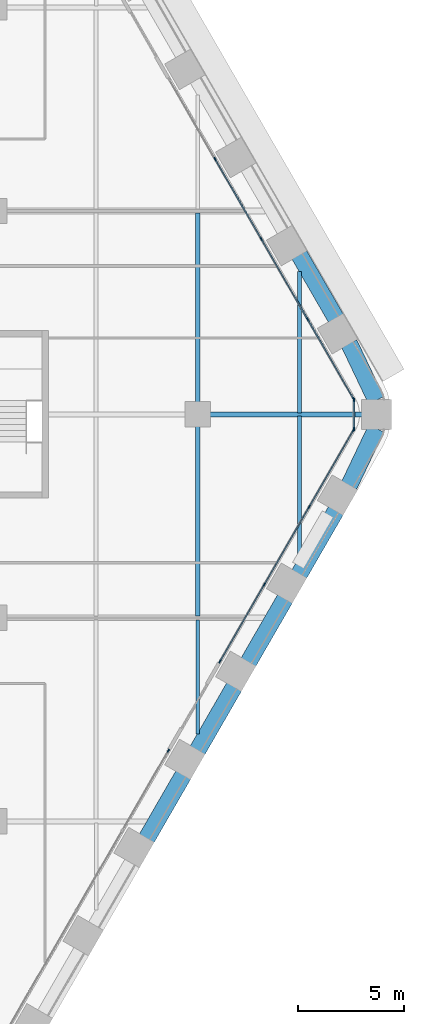
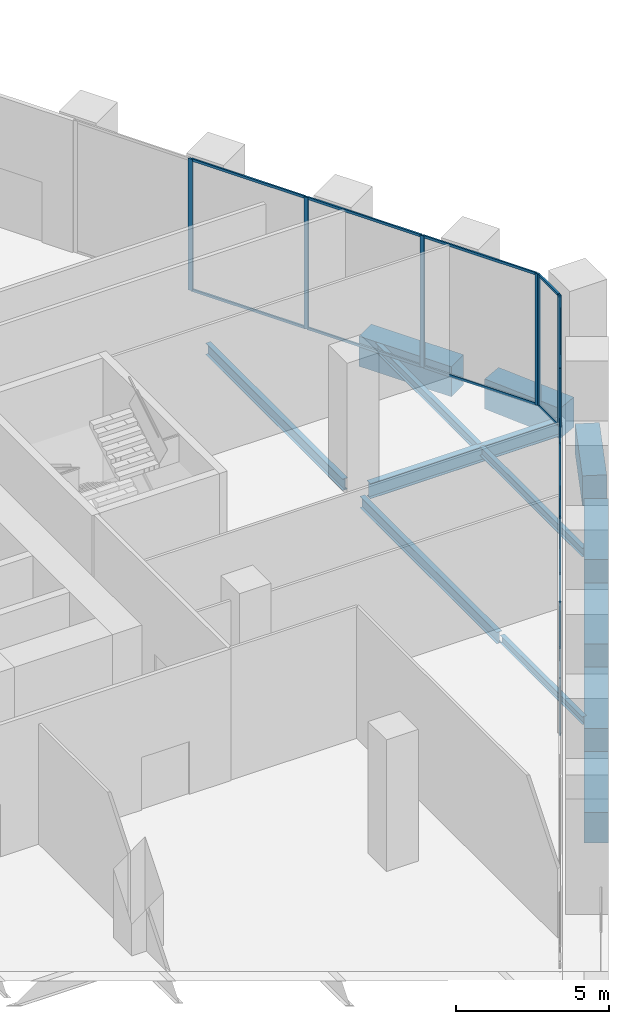
# One storey, part 11 of 27: 25 members, 13 beams, 4 elements without a shape of their own.
"""IFC4 building model written with IfcOpenShell, lengths in metres."""

from ifc_helpers import new_model, si_unit, direction, frame, origin, origin_2d, place, context, subcontext, project, spatial, rectangle, i_section, extrude, material, material_profile, profile_set, type_object, element, aggregate, save


model = new_model("IFC4")

# Units and contexts
model_context = context("Model", 3, precision=1e-05, world=origin(), true_north=direction((0.0, 1.0)))
body_context = subcontext(model_context, "Body", "Model", "MODEL_VIEW")
ifc_project = project(units=[si_unit("LENGTHUNIT", "METRE"), si_unit("AREAUNIT", "SQUARE_METRE"), si_unit("VOLUMEUNIT", "CUBIC_METRE"), si_unit("PLANEANGLEUNIT", "RADIAN"), si_unit("MASSUNIT", "GRAM", prefix="KILO")], contexts=[model_context])

# Site, building, storey
site_placement = place(None, origin())
site = spatial("IfcSite", under=ifc_project, at=site_placement, CompositionType="ELEMENT")
building_placement = place(site_placement, origin())
building = spatial("IfcBuilding", under=site, at=building_placement, Name="Kolab Exchange Tower", CompositionType="ELEMENT")
storey_placement = place(building_placement, frame((0.0, 0.0, 27.89990234375)))
storey = spatial("IfcBuildingStorey", under=building, at=storey_placement, Name="L05", CompositionType="ELEMENT", Elevation=27.89990234375)

# Beams
ifc_material_1 = material(Name="Steel S355", Category="steel")
ifc_material_profile_1 = material_profile(ifc_material_1, i_section(OverallWidth=0.1650390625, OverallDepth=0.31005859375, WebThickness=0.005859375, FlangeThickness=0.009765625, at=origin_2d()), Name="W310X39")
ifc_profile_set_1 = profile_set([ifc_material_profile_1], Name="Steel S355")
beam_type_1 = type_object("IfcBeamType", Name="FLOOR BEAM W310X39", PredefinedType="BEAM", material=ifc_profile_set_1)
beam_1_placement = place(storey_placement, frame((28.800048828125, -15.067626953125, -0.40478515625), z_axis=(0.0, 1.0, 0.0), x_axis=(-1.0, 0.0, 0.0)))
element("IfcBeam", 1, at=beam_1_placement, inside=storey, type_object=beam_type_1, Name="beam/L05/fr/058", PredefinedType="BEAM", context=body_context, shape_type="SweptSolid", body=[
    extrude(i_section(OverallWidth=0.1650390625, OverallDepth=0.31005859375, WebThickness=0.005859375, FlangeThickness=0.009765625, at=origin_2d()), origin(), (0.0, 0.0, 1.0), 5.3740234375),
])
ifc_material_profile_2 = material_profile(ifc_material_1, i_section(OverallWidth=0.1708984375, OverallDepth=0.35498046875, WebThickness=0.007080078125, FlangeThickness=0.01171875, at=origin_2d()), Name="W360X51")
ifc_profile_set_2 = profile_set([ifc_material_profile_2], Name="Steel S355")
beam_type_2 = type_object("IfcBeamType", Name="FLOOR BEAM W360X51", PredefinedType="BEAM", material=ifc_profile_set_2)
for number, where, z_axis, x_axis, name in (
    (2, (33.60009765625, -6.75390625, -0.427490234375), (0.0, 1.0, 0.0), (-1.0, 0.0, 0.0), "beam/L05/fr/062"),
    (3, (33.60009765625, 0.073974609375, -0.427490234375), (0.0, 1.0, 0.0), (-1.0, 0.0, 0.0), "beam/L05/fr/063"),
):
    element("IfcBeam", number, at=place(storey_placement, frame(where, z_axis=z_axis, x_axis=x_axis)), inside=storey, type_object=beam_type_2, Name=name, PredefinedType="BEAM", context=body_context, shape_type="SweptSolid", body=[
        extrude(i_section(OverallWidth=0.1708984375, OverallDepth=0.35498046875, WebThickness=0.007080078125, FlangeThickness=0.01171875, at=origin_2d()), origin(), (0.0, 0.0, 1.0), 6.679931640625),
    ])
ifc_material_profile_3 = material_profile(ifc_material_1, i_section(OverallWidth=0.18994140625, OverallDepth=0.45703125, WebThickness=0.009033203125, FlangeThickness=0.014404296875, at=origin_2d()), Name="W460X74")
ifc_profile_set_3 = profile_set([ifc_material_profile_3], Name="Steel S355")
beam_type_3 = type_object("IfcBeamType", Name="FLOOR BEAM W460X74", PredefinedType="BEAM", material=ifc_profile_set_3)
for number, where, z_axis, x_axis, name in (
    (4, (28.800048828125, -9.506591796875, -0.478515625), (0.0, 1.0, 0.0), (-1.0, 0.0, 0.0), "beam/L05/fr/059"),
    (5, (28.800048828125, 0.56005859375, -0.478515625), (0.0, 1.0, 0.0), (-1.0, 0.0, 0.0), "beam/L05/fr/060"),
):
    element("IfcBeam", number, at=place(storey_placement, frame(where, z_axis=z_axis, x_axis=x_axis)), inside=storey, type_object=beam_type_3, Name=name, PredefinedType="BEAM", context=body_context, shape_type="SweptSolid", body=[
        extrude(i_section(OverallWidth=0.18994140625, OverallDepth=0.45703125, WebThickness=0.009033203125, FlangeThickness=0.014404296875, at=origin_2d()), origin(), (0.0, 0.0, 1.0), 8.946533203125),
    ])
ifc_material_profile_4 = material_profile(ifc_material_1, i_section(OverallWidth=0.22802734375, OverallDepth=0.60791015625, WebThickness=0.01123046875, FlangeThickness=0.017333984375, at=origin_2d()), Name="W610X113")
ifc_profile_set_4 = profile_set([ifc_material_profile_4], Name="Steel S355")
beam_type_4 = type_object("IfcBeamType", Name="FLOOR GIRDER W610X113", PredefinedType="BEAM", material=ifc_profile_set_4)
beam_2_placement = place(storey_placement, frame((29.360107421875, 0.0, -0.553955078125), z_axis=(1.0, 0.0, 0.0), x_axis=(0.0, 1.0, 0.0)))
element("IfcBeam", 6, at=beam_2_placement, inside=storey, type_object=beam_type_4, Name="beam/L05/gd/025", PredefinedType="BEAM", context=body_context, shape_type="SweptSolid", body=[
    extrude(i_section(OverallWidth=0.22802734375, OverallDepth=0.60791015625, WebThickness=0.01123046875, FlangeThickness=0.017333984375, at=origin_2d()), origin(), (0.0, 0.0, 1.0), 7.2158203125),
])
ifc_material_2 = material(Name="Concrete C80/95", Category="concrete")
ifc_material_profile_5 = material_profile(ifc_material_2, rectangle(XDim=0.800048828125, YDim=1.199951171875, at=origin_2d()), Name="RC800X1200")
ifc_profile_set_5 = profile_set([ifc_material_profile_5], Name="Concrete C80/95")
beam_type_5 = type_object("IfcBeamType", Name="SPANDREL BEAM 800X1200 C80/95", PredefinedType="BEAM", material=ifc_profile_set_5)
beam_3_placement = place(storey_placement, frame((33.58349609375, 7.542236328125, -0.849853515625), z_axis=(0.500009906705, -0.86601968407, 0.0), x_axis=(0.86601968407, 0.500009906705, 0.0)))
element("IfcBeam", 7, at=beam_3_placement, inside=storey, type_object=beam_type_5, Name="beam/L05/sp/F2-07", PredefinedType="BEAM", context=body_context, shape_type="SweptSolid", body=[
    extrude(rectangle(XDim=0.800048828125, YDim=1.199951171875, at=origin_2d()), origin(), (0.0, 0.0, 1.0), 3.47998046875),
])
for number, where, z_axis, x_axis, name in (
    (8, (35.93798828125, 3.35888671875, -0.849853515625), (0.429555669245, -0.903040379507, 0.0), (0.903040379507, 0.429555669245, 0.0), "beam/L05/sp/F2-08"),
    (9, (37.219970703125, -0.663818359375, -0.849853515625), (-0.429555669245, -0.903040379507, 0.0), (0.903040379507, -0.429555669245, 0.0), "beam/L05/sp/F3-01"),
):
    element("IfcBeam", number, at=place(storey_placement, frame(where, z_axis=z_axis, x_axis=x_axis)), inside=storey, type_object=beam_type_5, Name=name, PredefinedType="BEAM", context=body_context, shape_type="SweptSolid", body=[
        extrude(rectangle(XDim=0.800048828125, YDim=1.199951171875, at=origin_2d()), origin(), (0.0, 0.0, 1.0), 2.984375),
    ])
beam_4_placement = place(storey_placement, frame((35.323486328125, -4.528564453125, -0.849853515625), z_axis=(-0.500009906705, -0.86601968407, 0.0), x_axis=(0.86601968407, -0.500009906705, 0.0)))
element("IfcBeam", 10, at=beam_4_placement, inside=storey, type_object=beam_type_5, Name="beam/L05/sp/F3-02", PredefinedType="BEAM", context=body_context, shape_type="SweptSolid", body=[
    extrude(rectangle(XDim=0.800048828125, YDim=1.199951171875, at=origin_2d()), origin(), (0.0, 0.0, 1.0), 3.47998046875),
])
for number, where, z_axis, x_axis, name in (
    (11, (32.923583984375, -8.685302734375, -0.849853515625), (-0.499979528911, -0.866037222451, 0.0), (0.866037222451, -0.499979528911, 0.0), "beam/L05/sp/F3-03"),
    (12, (30.523681640625, -12.84228515625, -0.849853515625), (-0.499979528911, -0.866037222451, 0.0), (0.866037222451, -0.499979528911, 0.0), "beam/L05/sp/F3-04"),
):
    element("IfcBeam", number, at=place(storey_placement, frame(where, z_axis=z_axis, x_axis=x_axis)), inside=storey, type_object=beam_type_5, Name=name, PredefinedType="BEAM", context=body_context, shape_type="SweptSolid", body=[
        extrude(rectangle(XDim=0.800048828125, YDim=1.199951171875, at=origin_2d()), origin(), (0.0, 0.0, 1.0), 3.480224609375),
    ])
beam_5_placement = place(storey_placement, frame((28.12353515625, -16.999267578125, -0.849853515625), z_axis=(-0.500009906705, -0.86601968407, 0.0), x_axis=(0.86601968407, -0.500009906705, 0.0)))
element("IfcBeam", 13, at=beam_5_placement, inside=storey, type_object=beam_type_5, Name="beam/L05/sp/F3-05", PredefinedType="BEAM", context=body_context, shape_type="SweptSolid", body=[
    extrude(rectangle(XDim=0.800048828125, YDim=1.199951171875, at=origin_2d()), origin(), (0.0, 0.0, 1.0), 3.47998046875),
])

# Curtain wall, members
ifc_material_3 = material(Name="Aluminium EN AW-6063 T6", Category="aluminium")
curtain_wall_type = type_object("IfcCurtainWallType", Name="UNITISED LOW ZONE CURTAIN WALL", PredefinedType="NOTDEFINED", material=ifc_material_3)
curtain_wall_1_placement = place(storey_placement, origin())
curtain_wall_1 = element("IfcCurtainWall", 14, at=curtain_wall_1_placement, inside=storey, type_object=curtain_wall_type, Name="cw/L05/F2-2", PredefinedType="NOTDEFINED")
ifc_material_profile_6 = material_profile(ifc_material_3, rectangle(XDim=0.06005859375, YDim=0.159912109375, at=origin_2d()), Name="RECT 60X160")
ifc_profile_set_6 = profile_set([ifc_material_profile_6], Name="Aluminium EN AW-6063 T6")
member_type_1 = type_object("IfcMemberType", Name="UNITISED LOW ZONE MULLION 60 X 160", PredefinedType="MULLION", material=ifc_profile_set_6)
member_1_placement = place(storey_placement, frame((29.615234375, 12.0556640625, 0.0), z_axis=(0.0, 0.0, 1.0), x_axis=(0.866025422102, 0.499999968274, 0.0)))
member_1 = element("IfcMember", 15, at=member_1_placement, type_object=member_type_1, Name="CW1 mullion 2", PredefinedType="MULLION", context=body_context, shape_type="SweptSolid", body=[
    extrude(rectangle(XDim=0.06005859375, YDim=0.159912109375, at=origin_2d()), origin(), (0.0, 0.0, 1.0), 5.25),
])
member_2_placement = place(storey_placement, frame((31.798583984375, 8.27392578125, 0.0), z_axis=(0.0, 0.0, 1.0), x_axis=(0.866025422102, 0.499999968274, 0.0)))
member_2 = element("IfcMember", 16, at=member_2_placement, type_object=member_type_1, Name="CW1 mullion 3", PredefinedType="MULLION", context=body_context, shape_type="SweptSolid", body=[
    extrude(rectangle(XDim=0.06005859375, YDim=0.159912109375, at=origin_2d()), origin(), (0.0, 0.0, 1.0), 5.25),
])
member_3_placement = place(storey_placement, frame((33.982177734375, 4.491943359375, 0.0), z_axis=(0.0, 0.0, 1.0), x_axis=(0.866025422102, 0.499999968274, 0.0)))
member_3 = element("IfcMember", 17, at=member_3_placement, type_object=member_type_1, Name="CW1 mullion 4", PredefinedType="MULLION", context=body_context, shape_type="SweptSolid", body=[
    extrude(rectangle(XDim=0.06005859375, YDim=0.159912109375, at=origin_2d()), origin(), (0.0, 0.0, 1.0), 5.25),
])
member_4_placement = place(storey_placement, frame((36.150634765625, 0.736083984375, 0.0), z_axis=(0.0, 0.0, 1.0), x_axis=(0.866025422102, 0.499999968274, 0.0)))
member_4 = element("IfcMember", 18, at=member_4_placement, type_object=member_type_1, Name="CW1 mullion 5", PredefinedType="MULLION", context=body_context, shape_type="SweptSolid", body=[
    extrude(rectangle(XDim=0.06005859375, YDim=0.159912109375, at=origin_2d()), origin(), (0.0, 0.0, 1.0), 5.25),
])

curtain_wall_2_placement = place(storey_placement, origin())
curtain_wall_2 = element("IfcCurtainWall", 19, at=curtain_wall_2_placement, inside=storey, type_object=curtain_wall_type, Name="cw/L05/F3-1", PredefinedType="NOTDEFINED")
member_5_placement = place(storey_placement, frame((36.150634765625, -0.736083984375, 0.0), z_axis=(0.0, 0.0, 1.0), x_axis=(0.866025427826, -0.499999958358, 0.0)))
member_5 = element("IfcMember", 20, at=member_5_placement, type_object=member_type_1, Name="CW1 mullion 1", PredefinedType="MULLION", context=body_context, shape_type="SweptSolid", body=[
    extrude(rectangle(XDim=0.06005859375, YDim=0.159912109375, at=origin_2d()), origin(), (0.0, 0.0, 1.0), 5.25),
])
member_6_placement = place(storey_placement, frame((34.054443359375, -4.366943359375, 0.0), z_axis=(0.0, 0.0, 1.0), x_axis=(0.866025427826, -0.499999958358, 0.0)))
member_6 = element("IfcMember", 21, at=member_6_placement, type_object=member_type_1, Name="CW1 mullion 2", PredefinedType="MULLION", context=body_context, shape_type="SweptSolid", body=[
    extrude(rectangle(XDim=0.06005859375, YDim=0.159912109375, at=origin_2d()), origin(), (0.0, 0.0, 1.0), 5.25),
])
member_7_placement = place(storey_placement, frame((31.943115234375, -8.02392578125, 0.0), z_axis=(0.0, 0.0, 1.0), x_axis=(0.866025427826, -0.499999958358, 0.0)))
member_7 = element("IfcMember", 22, at=member_7_placement, type_object=member_type_1, Name="CW1 mullion 3", PredefinedType="MULLION", context=body_context, shape_type="SweptSolid", body=[
    extrude(rectangle(XDim=0.06005859375, YDim=0.159912109375, at=origin_2d()), origin(), (0.0, 0.0, 1.0), 5.25),
])
member_8_placement = place(storey_placement, frame((29.8466796875, -11.65478515625, 0.0), z_axis=(0.0, 0.0, 1.0), x_axis=(0.866025427826, -0.499999958358, 0.0)))
member_8 = element("IfcMember", 23, at=member_8_placement, type_object=member_type_1, Name="CW1 mullion 4", PredefinedType="MULLION", context=body_context, shape_type="SweptSolid", body=[
    extrude(rectangle(XDim=0.06005859375, YDim=0.159912109375, at=origin_2d()), origin(), (0.0, 0.0, 1.0), 5.25),
])

# Curtain wall, member
curtain_wall_3_placement = place(storey_placement, origin())
curtain_wall_3 = element("IfcCurtainWall", 24, at=curtain_wall_3_placement, inside=storey, type_object=curtain_wall_type, Name="cw/L05/F3-2", PredefinedType="NOTDEFINED")
member_9_placement = place(storey_placement, frame((27.416748046875, -15.86376953125, 0.0), z_axis=(0.0, 0.0, 1.0), x_axis=(0.866025397318, -0.5000000112, 0.0)))
member_9 = element("IfcMember", 25, at=member_9_placement, type_object=member_type_1, Name="CW1 mullion 1", PredefinedType="MULLION", context=body_context, shape_type="SweptSolid", body=[
    extrude(rectangle(XDim=0.06005859375, YDim=0.159912109375, at=origin_2d()), origin(), (0.0, 0.0, 1.0), 5.25),
])
aggregate(curtain_wall_3, [member_9])

# Curtain wall, members
curtain_wall_4_placement = place(storey_placement, origin())
curtain_wall_4 = element("IfcCurtainWall", 26, at=curtain_wall_4_placement, inside=storey, type_object=curtain_wall_type, Name="cw/L05/F2F3-corner", PredefinedType="NOTDEFINED")
member_10_placement = place(storey_placement, frame((36.165771484375, 0.679931640625, 0.0), z_axis=(0.0, 0.0, 1.0), x_axis=(1.0, 0.0, 0.0)))
member_10 = element("IfcMember", 27, at=member_10_placement, type_object=member_type_1, Name="CW1 mullion 1", PredefinedType="MULLION", context=body_context, shape_type="SweptSolid", body=[
    extrude(rectangle(XDim=0.06005859375, YDim=0.159912109375, at=origin_2d()), origin(), (0.0, 0.0, 1.0), 5.25),
])
member_11_placement = place(storey_placement, frame((36.165771484375, -0.679931640625, 0.0), z_axis=(0.0, 0.0, 1.0), x_axis=(1.0, 0.0, 0.0)))
member_11 = element("IfcMember", 28, at=member_11_placement, type_object=member_type_1, Name="CW1 mullion 2", PredefinedType="MULLION", context=body_context, shape_type="SweptSolid", body=[
    extrude(rectangle(XDim=0.06005859375, YDim=0.159912109375, at=origin_2d()), origin(), (0.0, 0.0, 1.0), 5.25),
])

# Member
ifc_material_profile_7 = material_profile(ifc_material_3, rectangle(XDim=0.06005859375, YDim=0.10009765625, at=origin_2d()), Name="RECT 60X100")
ifc_profile_set_7 = profile_set([ifc_material_profile_7], Name="Aluminium EN AW-6063 T6")
member_type_2 = type_object("IfcMemberType", Name="UNITISED LOW ZONE TRANSOM 60 X 100", PredefinedType="USERDEFINED", material=ifc_profile_set_7)
member_12_placement = place(storey_placement, frame((29.630126953125, 12.02978515625, 0.030029296875), z_axis=(0.500010313095, -0.866019449435, 0.0), x_axis=(0.866019449435, 0.500010313095, 0.0)))
member_12 = element("IfcMember", 29, at=member_12_placement, type_object=member_type_2, Name="CW1 transom 2.1", ObjectType="TRANSOM", PredefinedType="USERDEFINED", context=body_context, shape_type="SweptSolid", body=[
    extrude(rectangle(XDim=0.06005859375, YDim=0.10009765625, at=origin_2d()), origin(), (0.0, 0.0, 1.0), 4.30712890625),
])

member_13_placement = place(storey_placement, frame((29.630126953125, 12.02978515625, 5.22021484375), z_axis=(0.500010313095, -0.866019449435, 0.0), x_axis=(0.866019449435, 0.500010313095, 0.0)))
member_13 = element("IfcMember", 30, at=member_13_placement, type_object=member_type_2, Name="CW1 transom 2.2", ObjectType="TRANSOM", PredefinedType="USERDEFINED", context=body_context, shape_type="SweptSolid", body=[
    extrude(rectangle(XDim=0.06005859375, YDim=0.10009765625, at=origin_2d()), origin(), (0.0, 0.0, 1.0), 4.30712890625),
])

member_14_placement = place(storey_placement, frame((31.813720703125, 8.247802734375, 0.030029296875), z_axis=(0.499967798808, -0.866043994353, 0.0), x_axis=(0.866043994353, 0.499967798808, 0.0)))
member_14 = element("IfcMember", 31, at=member_14_placement, type_object=member_type_2, Name="CW1 transom 3.1", ObjectType="TRANSOM", PredefinedType="USERDEFINED", context=body_context, shape_type="SweptSolid", body=[
    extrude(rectangle(XDim=0.06005859375, YDim=0.10009765625, at=origin_2d()), origin(), (0.0, 0.0, 1.0), 4.306884765625),
])

member_15_placement = place(storey_placement, frame((31.813720703125, 8.247802734375, 5.22021484375), z_axis=(0.499967798808, -0.866043994353, 0.0), x_axis=(0.866043994353, 0.499967798808, 0.0)))
member_15 = element("IfcMember", 32, at=member_15_placement, type_object=member_type_2, Name="CW1 transom 3.2", ObjectType="TRANSOM", PredefinedType="USERDEFINED", context=body_context, shape_type="SweptSolid", body=[
    extrude(rectangle(XDim=0.06005859375, YDim=0.10009765625, at=origin_2d()), origin(), (0.0, 0.0, 1.0), 4.306884765625),
])

member_16_placement = place(storey_placement, frame((33.9970703125, 4.4658203125, 0.030029296875), z_axis=(0.500043627578, -0.866000213925, 0.0), x_axis=(0.866000213925, 0.500043627578, 0.0)))
member_16 = element("IfcMember", 33, at=member_16_placement, type_object=member_type_2, Name="CW1 transom 4.1", ObjectType="TRANSOM", PredefinedType="USERDEFINED", context=body_context, shape_type="SweptSolid", body=[
    extrude(rectangle(XDim=0.06005859375, YDim=0.10009765625, at=origin_2d()), origin(), (0.0, 0.0, 1.0), 4.27685546875),
])

member_17_placement = place(storey_placement, frame((33.9970703125, 4.4658203125, 5.22021484375), z_axis=(0.500043627578, -0.866000213925, 0.0), x_axis=(0.866000213925, 0.500043627578, 0.0)))
member_17 = element("IfcMember", 34, at=member_17_placement, type_object=member_type_2, Name="CW1 transom 4.2", ObjectType="TRANSOM", PredefinedType="USERDEFINED", context=body_context, shape_type="SweptSolid", body=[
    extrude(rectangle(XDim=0.06005859375, YDim=0.10009765625, at=origin_2d()), origin(), (0.0, 0.0, 1.0), 4.27685546875),
])

aggregate(curtain_wall_1, [member_1, member_2, member_3, member_4, member_12, member_13, member_14, member_15, member_16, member_17])

member_18_placement = place(storey_placement, frame((36.1357421875, -0.761962890625, 0.030029296875), z_axis=(-0.500027577057, -0.866009481578, 0.0), x_axis=(0.866009481578, -0.500027577057, 0.0)))
member_18 = element("IfcMember", 35, at=member_18_placement, type_object=member_type_2, Name="CW1 transom 1.1", ObjectType="TRANSOM", PredefinedType="USERDEFINED", context=body_context, shape_type="SweptSolid", body=[
    extrude(rectangle(XDim=0.06005859375, YDim=0.10009765625, at=origin_2d()), origin(), (0.0, 0.0, 1.0), 4.132568359375),
])

member_19_placement = place(storey_placement, frame((36.1357421875, -0.761962890625, 5.22021484375), z_axis=(-0.500027577057, -0.866009481578, 0.0), x_axis=(0.866009481578, -0.500027577057, 0.0)))
member_19 = element("IfcMember", 36, at=member_19_placement, type_object=member_type_2, Name="CW1 transom 1.2", ObjectType="TRANSOM", PredefinedType="USERDEFINED", context=body_context, shape_type="SweptSolid", body=[
    extrude(rectangle(XDim=0.06005859375, YDim=0.10009765625, at=origin_2d()), origin(), (0.0, 0.0, 1.0), 4.132568359375),
])

member_20_placement = place(storey_placement, frame((34.039306640625, -4.392822265625, 0.030029296875), z_axis=(-0.49999322259, -0.866029316688, 0.0), x_axis=(0.866029316688, -0.49999322259, 0.0)))
member_20 = element("IfcMember", 37, at=member_20_placement, type_object=member_type_2, Name="CW1 transom 2.1", ObjectType="TRANSOM", PredefinedType="USERDEFINED", context=body_context, shape_type="SweptSolid", body=[
    extrude(rectangle(XDim=0.06005859375, YDim=0.10009765625, at=origin_2d()), origin(), (0.0, 0.0, 1.0), 4.16259765625),
])

member_21_placement = place(storey_placement, frame((34.039306640625, -4.392822265625, 5.22021484375), z_axis=(-0.49999322259, -0.866029316688, 0.0), x_axis=(0.866029316688, -0.49999322259, 0.0)))
member_21 = element("IfcMember", 38, at=member_21_placement, type_object=member_type_2, Name="CW1 transom 2.2", ObjectType="TRANSOM", PredefinedType="USERDEFINED", context=body_context, shape_type="SweptSolid", body=[
    extrude(rectangle(XDim=0.06005859375, YDim=0.10009765625, at=origin_2d()), origin(), (0.0, 0.0, 1.0), 4.16259765625),
])

member_22_placement = place(storey_placement, frame((31.927978515625, -8.0498046875, 0.030029296875), z_axis=(-0.500001996123, -0.866024251319, 0.0), x_axis=(0.866024251319, -0.500001996123, 0.0)))
member_22 = element("IfcMember", 39, at=member_22_placement, type_object=member_type_2, Name="CW1 transom 3.1", ObjectType="TRANSOM", PredefinedType="USERDEFINED", context=body_context, shape_type="SweptSolid", body=[
    extrude(rectangle(XDim=0.06005859375, YDim=0.10009765625, at=origin_2d()), origin(), (0.0, 0.0, 1.0), 4.1328125),
])

member_23_placement = place(storey_placement, frame((31.927978515625, -8.0498046875, 5.22021484375), z_axis=(-0.500001996123, -0.866024251319, 0.0), x_axis=(0.866024251319, -0.500001996123, 0.0)))
member_23 = element("IfcMember", 40, at=member_23_placement, type_object=member_type_2, Name="CW1 transom 3.2", ObjectType="TRANSOM", PredefinedType="USERDEFINED", context=body_context, shape_type="SweptSolid", body=[
    extrude(rectangle(XDim=0.06005859375, YDim=0.10009765625, at=origin_2d()), origin(), (0.0, 0.0, 1.0), 4.1328125),
])

aggregate(curtain_wall_2, [member_5, member_6, member_7, member_8, member_18, member_19, member_20, member_21, member_22, member_23])

member_24_placement = place(storey_placement, frame((36.165771484375, 0.64990234375, 0.030029296875), z_axis=(0.0, -1.0, 0.0), x_axis=(1.0, 0.0, 0.0)))
member_24 = element("IfcMember", 41, at=member_24_placement, type_object=member_type_2, Name="CW1 transom 1.1", ObjectType="TRANSOM", PredefinedType="USERDEFINED", context=body_context, shape_type="SweptSolid", body=[
    extrude(rectangle(XDim=0.06005859375, YDim=0.10009765625, at=origin_2d()), origin(), (0.0, 0.0, 1.0), 1.2998046875),
])

member_25_placement = place(storey_placement, frame((36.165771484375, 0.64990234375, 5.22021484375), z_axis=(0.0, -1.0, 0.0), x_axis=(1.0, 0.0, 0.0)))
member_25 = element("IfcMember", 42, at=member_25_placement, type_object=member_type_2, Name="CW1 transom 1.2", ObjectType="TRANSOM", PredefinedType="USERDEFINED", context=body_context, shape_type="SweptSolid", body=[
    extrude(rectangle(XDim=0.06005859375, YDim=0.10009765625, at=origin_2d()), origin(), (0.0, 0.0, 1.0), 1.2998046875),
])

aggregate(curtain_wall_4, [member_10, member_11, member_24, member_25])

save(model, "model.ifc")
